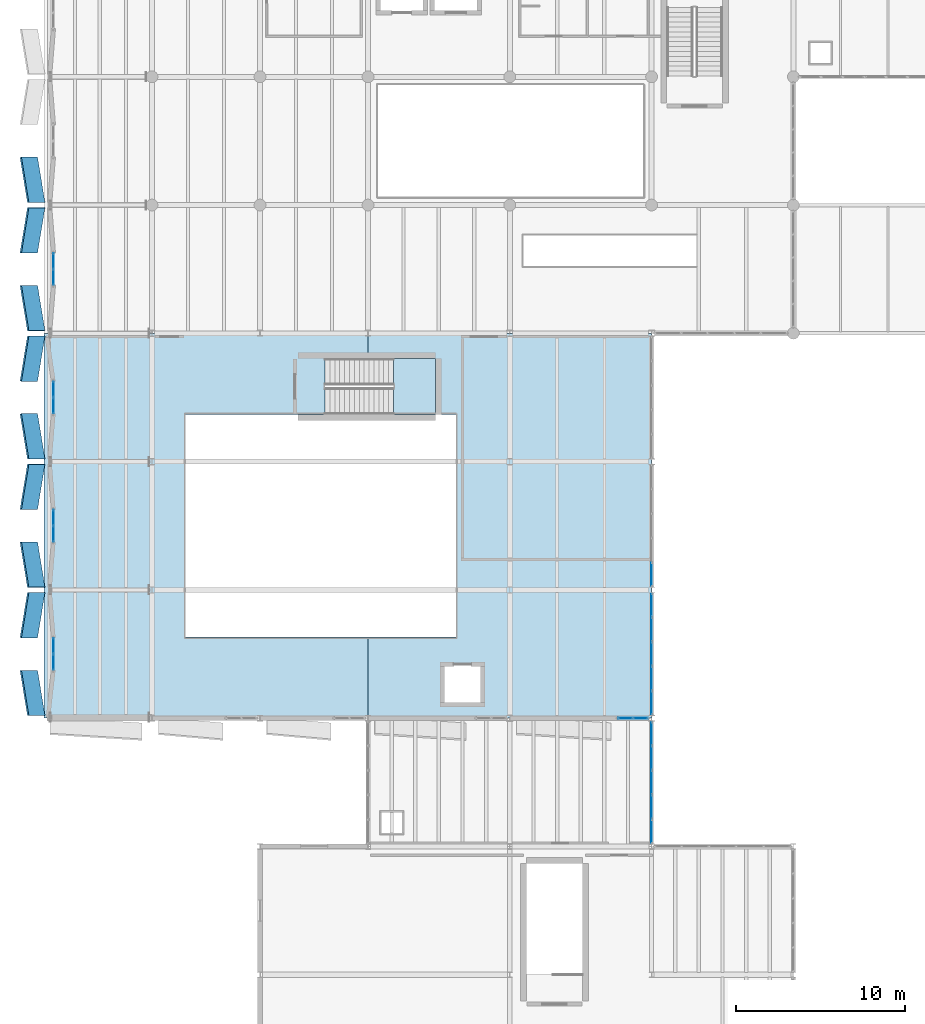
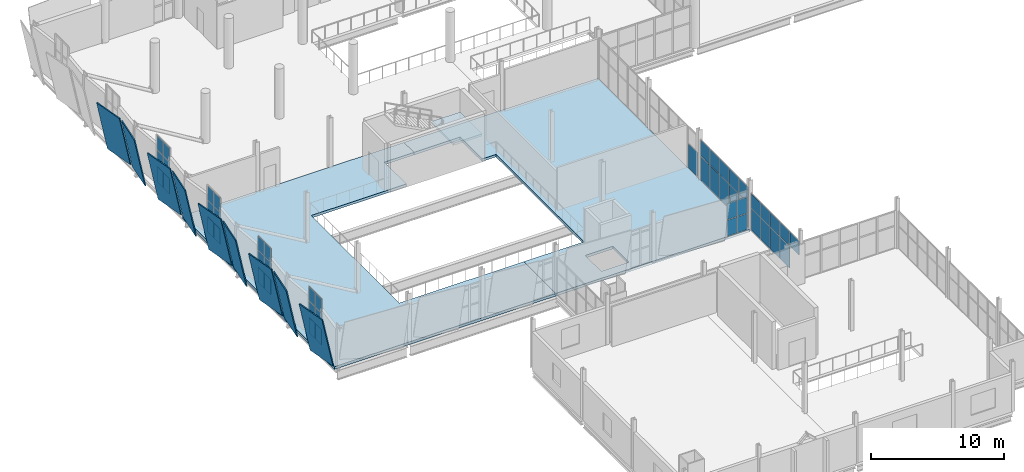
# One storey, part 98 of 136: 57 plates, 3 slabs, 9 elements without a shape of their own.
"""IFC4 building model written with IfcOpenShell, lengths in metres."""

from ifc_helpers import new_model, si_unit, direction, frame, origin, origin_2d, place, context, subcontext, project, spatial, polyline, rectangle, outline, extrude, material, layer, layer_set, type_object, element, aggregate, save


model = new_model("IFC4")

# Units and contexts
model_context = context("Model", 3, precision=1e-05, world=origin(), true_north=direction((0.0, 1.0)))
body_context = subcontext(model_context, "Body", "Model", "MODEL_VIEW")
ifc_project = project(units=[si_unit("LENGTHUNIT", "METRE"), si_unit("AREAUNIT", "SQUARE_METRE"), si_unit("VOLUMEUNIT", "CUBIC_METRE"), si_unit("PLANEANGLEUNIT", "RADIAN"), si_unit("MASSUNIT", "GRAM", prefix="KILO")], contexts=[model_context])

# Site, building, storey
site_placement = place(None, origin())
site = spatial("IfcSite", under=ifc_project, at=site_placement, CompositionType="ELEMENT")
building_placement = place(site_placement, origin())
building = spatial("IfcBuilding", under=site, at=building_placement, Name="Shengluoqiao Park Theatre", CompositionType="ELEMENT")
storey_placement = place(building_placement, frame((0.0, 0.0, 10.0)))
storey = spatial("IfcBuildingStorey", under=building, at=storey_placement, Name="L02", CompositionType="ELEMENT", Elevation=10.0)

# Plates
ifc_material_1 = material(Name="Precast concrete C45", Category="concrete")
ifc_layer_1 = layer(ifc_material_1, 0.090087890625, Name="Precast concrete C45")
ifc_layer_set_1 = layer_set([ifc_layer_1], Name="Precast concrete C45")
plate_type_1 = type_object("IfcPlateType", Name="ENV-CRYS-CP-090", PredefinedType="USERDEFINED", material=ifc_layer_set_1)
plate_1_placement = place(storey_placement, frame((0.06005859375, 30.56005859375, 0.0), z_axis=(0.966469214449, 0.158656966789, 0.201903998007), x_axis=(-0.16199316461, 0.986791880094, 0.0)))
element("IfcPlate", 1, at=plate_1_placement, inside=storey, type_object=plate_type_1, Name="V3 L02 Tilted White Precast Crystal Panel 024", ObjectType="FACADE PANEL", PredefinedType="USERDEFINED", context=body_context, shape_type="SweptSolid", body=[
    extrude(outline(polyline([(0.0, 0.0), (2.7158022828174055, 0.0), (2.8701229196118767, 4.655946331026953), (0.15432063679447125, 4.655946331026953), (0.0, 0.0)])), origin(), (0.0, 0.0, -1.0), 0.090087890625),
])
plate_2_placement = place(storey_placement, frame((-0.3798828125, 35.159912109375, 0.0), z_axis=(0.966471430424, -0.158642878268, 0.201904460944), x_axis=(0.161978795623, 0.98679423882, 0.0)))
element("IfcPlate", 2, at=plate_2_placement, inside=storey, type_object=plate_type_1, Name="V3 L02 Tilted White Precast Crystal Panel 025", ObjectType="FACADE PANEL", PredefinedType="USERDEFINED", context=body_context, shape_type="SweptSolid", body=[
    extrude(outline(polyline([(0.0, 0.0), (2.7160431990917, 0.0), (2.561736250721947, 4.6559467847075755), (-0.15430694836975264, 4.6559467847075755), (0.0, 0.0)])), origin(), (0.0, 0.0, -1.0), 0.090087890625),
])
plate_3_placement = place(storey_placement, frame((0.06005859375, 38.159912109375, 0.0), z_axis=(0.966471430424, 0.158642878268, 0.201904460944), x_axis=(-0.161978795623, 0.98679423882, 0.0)))
element("IfcPlate", 3, at=plate_3_placement, inside=storey, type_object=plate_type_1, Name="V3 L02 Tilted White Precast Crystal Panel 026", ObjectType="FACADE PANEL", PredefinedType="USERDEFINED", context=body_context, shape_type="SweptSolid", body=[
    extrude(outline(polyline([(0.0, 0.0), (2.7160431990917, 0.0), (2.8703501474614526, 4.6559467847075755), (0.15430694836975264, 4.6559467847075755), (0.0, 0.0)])), origin(), (0.0, 0.0, -1.0), 0.090087890625),
])
plate_4_placement = place(storey_placement, frame((-0.3798828125, 42.760009765625, 0.0), z_axis=(0.966469214449, -0.158656966789, 0.201903998007), x_axis=(0.16199316461, 0.986791880094, 0.0)))
element("IfcPlate", 4, at=plate_4_placement, inside=storey, type_object=plate_type_1, Name="V3 L02 Tilted White Precast Crystal Panel 027", ObjectType="FACADE PANEL", PredefinedType="USERDEFINED", context=body_context, shape_type="SweptSolid", body=[
    extrude(outline(polyline([(0.0, 0.0), (2.7158022828174055, 0.0), (2.5614816460229344, 4.655946331026953), (-0.15432063679447125, 4.655946331026953), (0.0, 0.0)])), origin(), (0.0, 0.0, -1.0), 0.090087890625),
])
plate_5_placement = place(storey_placement, frame((0.06005859375, 45.760009765625, 0.0), z_axis=(0.966469214449, 0.158656966789, 0.201903998007), x_axis=(-0.16199316461, 0.986791880094, 0.0)))
element("IfcPlate", 5, at=plate_5_placement, inside=storey, type_object=plate_type_1, Name="V3 L02 Tilted White Precast Crystal Panel 028", ObjectType="FACADE PANEL", PredefinedType="USERDEFINED", context=body_context, shape_type="SweptSolid", body=[
    extrude(outline(polyline([(0.0, 0.0), (2.7158022828174055, 0.0), (2.8701229196118767, 4.655946331026953), (0.15432063679447125, 4.655946331026953), (0.0, 0.0)])), origin(), (0.0, 0.0, -1.0), 0.090087890625),
])
plate_6_placement = place(storey_placement, frame((-0.3798828125, 50.360107421875, 0.0), z_axis=(0.966469214449, -0.158656966789, 0.201903998007), x_axis=(0.16199316461, 0.986791880094, 0.0)))
element("IfcPlate", 6, at=plate_6_placement, inside=storey, type_object=plate_type_1, Name="V3 L02 Tilted White Precast Crystal Panel 029", ObjectType="FACADE PANEL", PredefinedType="USERDEFINED", context=body_context, shape_type="SweptSolid", body=[
    extrude(outline(polyline([(0.0, 0.0), (2.7158022828174055, 0.0), (2.5614816460229344, 4.655946331026953), (-0.15432063679447125, 4.655946331026953), (0.0, 0.0)])), origin(), (0.0, 0.0, -1.0), 0.090087890625),
])
plate_7_placement = place(storey_placement, frame((0.06005859375, 53.360107421875, 0.0), z_axis=(0.966469214449, 0.158656966789, 0.201903998007), x_axis=(-0.16199316461, 0.986791880094, 0.0)))
element("IfcPlate", 7, at=plate_7_placement, inside=storey, type_object=plate_type_1, Name="V5 L02 Tilted White Precast Crystal Panel 030", ObjectType="FACADE PANEL", PredefinedType="USERDEFINED", context=body_context, shape_type="SweptSolid", body=[
    extrude(outline(polyline([(0.0, 0.0), (2.7158022828174055, 0.0), (2.8701229196118767, 4.655946331026953), (0.15432063679447125, 4.655946331026953), (0.0, 0.0)])), origin(), (0.0, 0.0, -1.0), 0.090087890625),
])
plate_8_placement = place(storey_placement, frame((-0.3798828125, 57.9599609375, 0.0), z_axis=(0.966469214449, -0.158656966789, 0.201903998007), x_axis=(0.16199316461, 0.986791880094, 0.0)))
element("IfcPlate", 8, at=plate_8_placement, inside=storey, type_object=plate_type_1, Name="V5 L02 Tilted White Precast Crystal Panel 031", ObjectType="FACADE PANEL", PredefinedType="USERDEFINED", context=body_context, shape_type="SweptSolid", body=[
    extrude(outline(polyline([(0.0, 0.0), (2.7158022828174055, 0.0), (2.5614816460229344, 4.655946331026953), (-0.15432063679447125, 4.655946331026953), (0.0, 0.0)])), origin(), (0.0, 0.0, -1.0), 0.090087890625),
])
plate_9_placement = place(storey_placement, frame((0.06005859375, 60.9599609375, 0.0), z_axis=(0.966469214449, 0.158656966789, 0.201903998007), x_axis=(-0.16199316461, 0.986791880094, 0.0)))
element("IfcPlate", 9, at=plate_9_placement, inside=storey, type_object=plate_type_1, Name="V5 L02 Tilted White Precast Crystal Panel 032", ObjectType="FACADE PANEL", PredefinedType="USERDEFINED", context=body_context, shape_type="SweptSolid", body=[
    extrude(outline(polyline([(0.0, 0.0), (2.7158022828174055, 0.0), (2.8701229196118767, 4.655946331026953), (0.15432063679447125, 4.655946331026953), (0.0, 0.0)])), origin(), (0.0, 0.0, -1.0), 0.090087890625),
])

# Curtain wall, plates
ifc_material_2 = material(Name="Aluminium 6063-T6", Category="aluminium")
curtain_wall_type_1 = type_object("IfcCurtainWallType", Name="ENV-CW-STUDIO", PredefinedType="NOTDEFINED", material=ifc_material_2)
curtain_wall_1_placement = place(storey_placement, origin())
curtain_wall_1 = element("IfcCurtainWall", 10, at=curtain_wall_1_placement, inside=storey, type_object=curtain_wall_type_1, Name="L02 Curtain Wall CWX-L02-0026", PredefinedType="NOTDEFINED")
ifc_material_3 = material(Name="Insulated glass", Category="glass")
ifc_layer_2 = layer(ifc_material_3, 0.0380859375, Name="Insulated glass")
ifc_layer_set_2 = layer_set([ifc_layer_2], Name="Insulated glass")
plate_type_2 = type_object("IfcPlateType", Name="ENV-GLZ-GL-38", PredefinedType="CURTAIN_PANEL", material=ifc_layer_set_2)
plate_10_placement = place(storey_placement, frame((34.44580078125, 30.39990234375, 0.06005859375), z_axis=(0.0, 0.0, 1.0), x_axis=(1.0, 0.0, 0.0)))
plate_10 = element("IfcPlate", 11, at=plate_10_placement, type_object=plate_type_2, Name="CW-02 panel 1.1", PredefinedType="CURTAIN_PANEL", context=body_context, shape_type="SweptSolid", body=[
    extrude(rectangle(XDim=0.83740234375, YDim=0.0380859375, at=origin_2d()), origin(), (0.0, 0.0, 1.0), 1.4599609375),
])
plate_11_placement = place(storey_placement, frame((34.44580078125, 30.39990234375, 1.580078125), z_axis=(0.0, 0.0, 1.0), x_axis=(1.0, 0.0, 0.0)))
plate_11 = element("IfcPlate", 12, at=plate_11_placement, type_object=plate_type_2, Name="CW-02 panel 1.2", PredefinedType="CURTAIN_PANEL", context=body_context, shape_type="SweptSolid", body=[
    extrude(rectangle(XDim=0.83740234375, YDim=0.0380859375, at=origin_2d()), origin(), (0.0, 0.0, 1.0), 1.43994140625),
])
plate_12_placement = place(storey_placement, frame((35.34326171875, 30.39990234375, 0.06005859375), z_axis=(0.0, 0.0, 1.0), x_axis=(1.0, 0.0, 0.0)))
plate_12 = element("IfcPlate", 13, at=plate_12_placement, type_object=plate_type_2, Name="CW-02 panel 2.1", PredefinedType="CURTAIN_PANEL", context=body_context, shape_type="SweptSolid", body=[
    extrude(rectangle(XDim=0.83740234375, YDim=0.0380859375, at=origin_2d()), origin(), (0.0, 0.0, 1.0), 1.4599609375),
])
plate_13_placement = place(storey_placement, frame((35.34326171875, 30.39990234375, 1.580078125), z_axis=(0.0, 0.0, 1.0), x_axis=(1.0, 0.0, 0.0)))
plate_13 = element("IfcPlate", 14, at=plate_13_placement, type_object=plate_type_2, Name="CW-02 panel 2.2", PredefinedType="CURTAIN_PANEL", context=body_context, shape_type="SweptSolid", body=[
    extrude(rectangle(XDim=0.83740234375, YDim=0.0380859375, at=origin_2d()), origin(), (0.0, 0.0, 1.0), 1.43994140625),
])
aggregate(curtain_wall_1, [plate_10, plate_11, plate_12, plate_13])

curtain_wall_type_2 = type_object("IfcCurtainWallType", Name="ENV-CW-COURT", PredefinedType="NOTDEFINED", material=ifc_material_2)
curtain_wall_2_placement = place(storey_placement, origin())
curtain_wall_2 = element("IfcCurtainWall", 15, at=curtain_wall_2_placement, inside=storey, type_object=curtain_wall_type_2, Name="L02 Curtain Wall CWX-L02-0027", PredefinedType="NOTDEFINED")
plate_14_placement = place(storey_placement, frame((36.0, 31.31591796875, 0.06005859375), z_axis=(0.0, 0.0, 1.0), x_axis=(0.0, 1.0, 0.0)))
plate_14 = element("IfcPlate", 16, at=plate_14_placement, type_object=plate_type_2, Name="CW-05 panel 1.1", PredefinedType="CURTAIN_PANEL", context=body_context, shape_type="SweptSolid", body=[
    extrude(rectangle(XDim=1.359619140625, YDim=0.0380859375, at=origin_2d()), origin(), (0.0, 0.0, 1.0), 2.172119140625),
])
plate_15_placement = place(storey_placement, frame((36.0, 31.31591796875, 2.2919921875), z_axis=(0.0, 0.0, 1.0), x_axis=(0.0, 1.0, 0.0)))
plate_15 = element("IfcPlate", 17, at=plate_15_placement, type_object=plate_type_2, Name="CW-05 panel 1.2", PredefinedType="CURTAIN_PANEL", context=body_context, shape_type="SweptSolid", body=[
    extrude(rectangle(XDim=1.359619140625, YDim=0.0380859375, at=origin_2d()), origin(), (0.0, 0.0, 1.0), 1.41796875),
])
plate_16_placement = place(storey_placement, frame((36.0, 32.75048828125, 0.06005859375), z_axis=(0.0, 0.0, 1.0), x_axis=(0.0, 1.0, 0.0)))
plate_16 = element("IfcPlate", 18, at=plate_16_placement, type_object=plate_type_2, Name="CW-05 panel 2.1", PredefinedType="CURTAIN_PANEL", context=body_context, shape_type="SweptSolid", body=[
    extrude(rectangle(XDim=1.3896484375, YDim=0.0380859375, at=origin_2d()), origin(), (0.0, 0.0, 1.0), 2.172119140625),
])
plate_17_placement = place(storey_placement, frame((36.0, 32.75048828125, 2.2919921875), z_axis=(0.0, 0.0, 1.0), x_axis=(0.0, 1.0, 0.0)))
plate_17 = element("IfcPlate", 19, at=plate_17_placement, type_object=plate_type_2, Name="CW-05 panel 2.2", PredefinedType="CURTAIN_PANEL", context=body_context, shape_type="SweptSolid", body=[
    extrude(rectangle(XDim=1.3896484375, YDim=0.0380859375, at=origin_2d()), origin(), (0.0, 0.0, 1.0), 1.41796875),
])
plate_18_placement = place(storey_placement, frame((36.0, 34.199951171875, 0.06005859375), z_axis=(0.0, 0.0, 1.0), x_axis=(0.0, 1.0, 0.0)))
plate_18 = element("IfcPlate", 20, at=plate_18_placement, type_object=plate_type_2, Name="CW-05 panel 3.1", PredefinedType="CURTAIN_PANEL", context=body_context, shape_type="SweptSolid", body=[
    extrude(rectangle(XDim=1.3896484375, YDim=0.0380859375, at=origin_2d()), origin(), (0.0, 0.0, 1.0), 2.172119140625),
])
plate_19_placement = place(storey_placement, frame((36.0, 34.199951171875, 2.2919921875), z_axis=(0.0, 0.0, 1.0), x_axis=(0.0, 1.0, 0.0)))
plate_19 = element("IfcPlate", 21, at=plate_19_placement, type_object=plate_type_2, Name="CW-05 panel 3.2", PredefinedType="CURTAIN_PANEL", context=body_context, shape_type="SweptSolid", body=[
    extrude(rectangle(XDim=1.3896484375, YDim=0.0380859375, at=origin_2d()), origin(), (0.0, 0.0, 1.0), 1.41796875),
])
plate_20_placement = place(storey_placement, frame((36.0, 35.649658203125, 0.06005859375), z_axis=(0.0, 0.0, 1.0), x_axis=(0.0, 1.0, 0.0)))
plate_20 = element("IfcPlate", 22, at=plate_20_placement, type_object=plate_type_2, Name="CW-05 panel 4.1", PredefinedType="CURTAIN_PANEL", context=body_context, shape_type="SweptSolid", body=[
    extrude(rectangle(XDim=1.3896484375, YDim=0.0380859375, at=origin_2d()), origin(), (0.0, 0.0, 1.0), 2.172119140625),
])
plate_21_placement = place(storey_placement, frame((36.0, 35.649658203125, 2.2919921875), z_axis=(0.0, 0.0, 1.0), x_axis=(0.0, 1.0, 0.0)))
plate_21 = element("IfcPlate", 23, at=plate_21_placement, type_object=plate_type_2, Name="CW-05 panel 4.2", PredefinedType="CURTAIN_PANEL", context=body_context, shape_type="SweptSolid", body=[
    extrude(rectangle(XDim=1.3896484375, YDim=0.0380859375, at=origin_2d()), origin(), (0.0, 0.0, 1.0), 1.41796875),
])
plate_22_placement = place(storey_placement, frame((36.0, 37.084228515625, 0.06005859375), z_axis=(0.0, 0.0, 1.0), x_axis=(0.0, 1.0, 0.0)))
plate_22 = element("IfcPlate", 24, at=plate_22_placement, type_object=plate_type_2, Name="CW-05 panel 5.1", PredefinedType="CURTAIN_PANEL", context=body_context, shape_type="SweptSolid", body=[
    extrude(rectangle(XDim=1.359619140625, YDim=0.0380859375, at=origin_2d()), origin(), (0.0, 0.0, 1.0), 2.172119140625),
])
plate_23_placement = place(storey_placement, frame((36.0, 37.084228515625, 2.2919921875), z_axis=(0.0, 0.0, 1.0), x_axis=(0.0, 1.0, 0.0)))
plate_23 = element("IfcPlate", 25, at=plate_23_placement, type_object=plate_type_2, Name="CW-05 panel 5.2", PredefinedType="CURTAIN_PANEL", context=body_context, shape_type="SweptSolid", body=[
    extrude(rectangle(XDim=1.359619140625, YDim=0.0380859375, at=origin_2d()), origin(), (0.0, 0.0, 1.0), 1.41796875),
])
aggregate(curtain_wall_2, [plate_14, plate_15, plate_16, plate_17, plate_18, plate_19, plate_20, plate_21, plate_22, plate_23])

# Curtain wall, plate
curtain_wall_3_placement = place(storey_placement, origin())
curtain_wall_3 = element("IfcCurtainWall", 26, at=curtain_wall_3_placement, inside=storey, type_object=curtain_wall_type_2, Name="L02 Curtain Wall CWX-L02-0028", PredefinedType="NOTDEFINED")
plate_24_placement = place(storey_placement, frame((36.0, 38.915771484375, 0.06005859375), z_axis=(0.0, 0.0, 1.0), x_axis=(0.0, 1.0, 0.0)))
plate_24 = element("IfcPlate", 27, at=plate_24_placement, type_object=plate_type_2, Name="CW-05 panel 1.1", PredefinedType="CURTAIN_PANEL", context=body_context, shape_type="SweptSolid", body=[
    extrude(rectangle(XDim=1.359619140625, YDim=0.0380859375, at=origin_2d()), origin(), (0.0, 0.0, 1.0), 2.219970703125),
])
aggregate(curtain_wall_3, [plate_24])

# Curtain wall, plates
curtain_wall_4_placement = place(storey_placement, origin())
curtain_wall_4 = element("IfcCurtainWall", 28, at=curtain_wall_4_placement, inside=storey, type_object=curtain_wall_type_2, Name="L02 Curtain Wall CWX-L02-0166", PredefinedType="NOTDEFINED")
plate_25_placement = place(storey_placement, frame((36.0, 23.696044921875, 2.10498046875), z_axis=(0.0, 0.0, 1.0), x_axis=(0.0, 1.0, 0.0)))
plate_25 = element("IfcPlate", 29, at=plate_25_placement, type_object=plate_type_2, Name="CW-05 panel 1.2", PredefinedType="CURTAIN_PANEL", context=body_context, shape_type="SweptSolid", body=[
    extrude(rectangle(XDim=1.364013671875, YDim=0.0380859375, at=origin_2d()), origin(), (0.0, 0.0, 1.0), 1.29296875),
])
plate_26_placement = place(storey_placement, frame((36.0, 25.135009765625, 0.06005859375), z_axis=(0.0, 0.0, 1.0), x_axis=(0.0, 1.0, 0.0)))
plate_26 = element("IfcPlate", 30, at=plate_26_placement, type_object=plate_type_2, Name="CW-05 panel 2.1", PredefinedType="CURTAIN_PANEL", context=body_context, shape_type="SweptSolid", body=[
    extrude(rectangle(XDim=1.39404296875, YDim=0.0380859375, at=origin_2d()), origin(), (0.0, 0.0, 1.0), 1.985107421875),
])
plate_27_placement = place(storey_placement, frame((36.0, 25.135009765625, 2.10498046875), z_axis=(0.0, 0.0, 1.0), x_axis=(0.0, 1.0, 0.0)))
plate_27 = element("IfcPlate", 31, at=plate_27_placement, type_object=plate_type_2, Name="CW-05 panel 2.2", PredefinedType="CURTAIN_PANEL", context=body_context, shape_type="SweptSolid", body=[
    extrude(rectangle(XDim=1.39404296875, YDim=0.0380859375, at=origin_2d()), origin(), (0.0, 0.0, 1.0), 1.29296875),
])
plate_28_placement = place(storey_placement, frame((36.0, 26.589111328125, 0.06005859375), z_axis=(0.0, 0.0, 1.0), x_axis=(0.0, 1.0, 0.0)))
plate_28 = element("IfcPlate", 32, at=plate_28_placement, type_object=plate_type_2, Name="CW-05 panel 3.1", PredefinedType="CURTAIN_PANEL", context=body_context, shape_type="SweptSolid", body=[
    extrude(rectangle(XDim=1.39404296875, YDim=0.0380859375, at=origin_2d()), origin(), (0.0, 0.0, 1.0), 1.985107421875),
])
plate_29_placement = place(storey_placement, frame((36.0, 26.589111328125, 2.10498046875), z_axis=(0.0, 0.0, 1.0), x_axis=(0.0, 1.0, 0.0)))
plate_29 = element("IfcPlate", 33, at=plate_29_placement, type_object=plate_type_2, Name="CW-05 panel 3.2", PredefinedType="CURTAIN_PANEL", context=body_context, shape_type="SweptSolid", body=[
    extrude(rectangle(XDim=1.39404296875, YDim=0.0380859375, at=origin_2d()), origin(), (0.0, 0.0, 1.0), 1.29296875),
])
plate_30_placement = place(storey_placement, frame((36.0, 28.04296875, 0.06005859375), z_axis=(0.0, 0.0, 1.0), x_axis=(0.0, 1.0, 0.0)))
plate_30 = element("IfcPlate", 34, at=plate_30_placement, type_object=plate_type_2, Name="CW-05 panel 4.1", PredefinedType="CURTAIN_PANEL", context=body_context, shape_type="SweptSolid", body=[
    extrude(rectangle(XDim=1.39404296875, YDim=0.0380859375, at=origin_2d()), origin(), (0.0, 0.0, 1.0), 1.985107421875),
])
plate_31_placement = place(storey_placement, frame((36.0, 28.04296875, 2.10498046875), z_axis=(0.0, 0.0, 1.0), x_axis=(0.0, 1.0, 0.0)))
plate_31 = element("IfcPlate", 35, at=plate_31_placement, type_object=plate_type_2, Name="CW-05 panel 4.2", PredefinedType="CURTAIN_PANEL", context=body_context, shape_type="SweptSolid", body=[
    extrude(rectangle(XDim=1.39404296875, YDim=0.0380859375, at=origin_2d()), origin(), (0.0, 0.0, 1.0), 1.29296875),
])
plate_32_placement = place(storey_placement, frame((36.0, 29.48193359375, 0.06005859375), z_axis=(0.0, 0.0, 1.0), x_axis=(0.0, 1.0, 0.0)))
plate_32 = element("IfcPlate", 36, at=plate_32_placement, type_object=plate_type_2, Name="CW-05 panel 5.1", PredefinedType="CURTAIN_PANEL", context=body_context, shape_type="SweptSolid", body=[
    extrude(rectangle(XDim=1.364013671875, YDim=0.0380859375, at=origin_2d()), origin(), (0.0, 0.0, 1.0), 1.985107421875),
])
plate_33_placement = place(storey_placement, frame((36.0, 29.48193359375, 2.10498046875), z_axis=(0.0, 0.0, 1.0), x_axis=(0.0, 1.0, 0.0)))
plate_33 = element("IfcPlate", 37, at=plate_33_placement, type_object=plate_type_2, Name="CW-05 panel 5.2", PredefinedType="CURTAIN_PANEL", context=body_context, shape_type="SweptSolid", body=[
    extrude(rectangle(XDim=1.364013671875, YDim=0.0380859375, at=origin_2d()), origin(), (0.0, 0.0, 1.0), 1.29296875),
])
aggregate(curtain_wall_4, [plate_25, plate_26, plate_27, plate_28, plate_29, plate_30, plate_31, plate_32, plate_33])

curtain_wall_type_3 = type_object("IfcCurtainWallType", Name="ENV-CW-FOYER", PredefinedType="NOTDEFINED", material=ifc_material_2)
curtain_wall_5_placement = place(storey_placement, origin())
curtain_wall_5 = element("IfcCurtainWall", 38, at=curtain_wall_5_placement, inside=storey, type_object=curtain_wall_type_3, Name="L02 Curtain Wall CW-L02-SLIT-0241", PredefinedType="NOTDEFINED")
plate_34_placement = place(storey_placement, frame((0.56005859375, 56.516357421875, 0.06494140625), z_axis=(0.0, 0.0, 1.0), x_axis=(0.0, 1.0, 0.0)))
plate_34 = element("IfcPlate", 39, at=plate_34_placement, type_object=plate_type_2, Name="CW-01 panel 1.1", PredefinedType="CURTAIN_PANEL", context=body_context, shape_type="SweptSolid", body=[
    extrude(rectangle(XDim=0.902587890625, YDim=0.0380859375, at=origin_2d()), origin(), (0.0, 0.0, 1.0), 1.402587890625),
])
plate_35_placement = place(storey_placement, frame((0.56005859375, 56.516357421875, 1.532470703125), z_axis=(0.0, 0.0, 1.0), x_axis=(0.0, 1.0, 0.0)))
plate_35 = element("IfcPlate", 40, at=plate_35_placement, type_object=plate_type_2, Name="CW-01 panel 1.2", PredefinedType="CURTAIN_PANEL", context=body_context, shape_type="SweptSolid", body=[
    extrude(rectangle(XDim=0.902587890625, YDim=0.0380859375, at=origin_2d()), origin(), (0.0, 0.0, 1.0), 1.43505859375),
])
plate_36_placement = place(storey_placement, frame((0.56005859375, 56.516357421875, 3.03271484375), z_axis=(0.0, 0.0, 1.0), x_axis=(0.0, 1.0, 0.0)))
plate_36 = element("IfcPlate", 41, at=plate_36_placement, type_object=plate_type_2, Name="CW-01 panel 1.3", PredefinedType="CURTAIN_PANEL", context=body_context, shape_type="SweptSolid", body=[
    extrude(rectangle(XDim=0.902587890625, YDim=0.0380859375, at=origin_2d()), origin(), (0.0, 0.0, 1.0), 1.262451171875),
])
plate_37_placement = place(storey_placement, frame((0.56005859375, 57.483642578125, 0.06494140625), z_axis=(0.0, 0.0, 1.0), x_axis=(0.0, 1.0, 0.0)))
plate_37 = element("IfcPlate", 42, at=plate_37_placement, type_object=plate_type_2, Name="CW-01 panel 2.1", PredefinedType="CURTAIN_PANEL", context=body_context, shape_type="SweptSolid", body=[
    extrude(rectangle(XDim=0.902587890625, YDim=0.0380859375, at=origin_2d()), origin(), (0.0, 0.0, 1.0), 1.402587890625),
])
plate_38_placement = place(storey_placement, frame((0.56005859375, 57.483642578125, 1.532470703125), z_axis=(0.0, 0.0, 1.0), x_axis=(0.0, 1.0, 0.0)))
plate_38 = element("IfcPlate", 43, at=plate_38_placement, type_object=plate_type_2, Name="CW-01 panel 2.2", PredefinedType="CURTAIN_PANEL", context=body_context, shape_type="SweptSolid", body=[
    extrude(rectangle(XDim=0.902587890625, YDim=0.0380859375, at=origin_2d()), origin(), (0.0, 0.0, 1.0), 1.43505859375),
])
plate_39_placement = place(storey_placement, frame((0.56005859375, 57.483642578125, 3.03271484375), z_axis=(0.0, 0.0, 1.0), x_axis=(0.0, 1.0, 0.0)))
plate_39 = element("IfcPlate", 44, at=plate_39_placement, type_object=plate_type_2, Name="CW-01 panel 2.3", PredefinedType="CURTAIN_PANEL", context=body_context, shape_type="SweptSolid", body=[
    extrude(rectangle(XDim=0.902587890625, YDim=0.0380859375, at=origin_2d()), origin(), (0.0, 0.0, 1.0), 1.262451171875),
])
aggregate(curtain_wall_5, [plate_34, plate_35, plate_36, plate_37, plate_38, plate_39])

curtain_wall_6_placement = place(storey_placement, origin())
curtain_wall_6 = element("IfcCurtainWall", 45, at=curtain_wall_6_placement, inside=storey, type_object=curtain_wall_type_1, Name="L02 Curtain Wall CW-L02-SLIT-0238", PredefinedType="NOTDEFINED")
ifc_layer_3 = layer(ifc_material_3, 0.048095703125, Name="Insulated glass")
ifc_layer_set_3 = layer_set([ifc_layer_3], Name="Insulated glass")
plate_type_3 = type_object("IfcPlateType", Name="ENV-GLZ-GL-48", PredefinedType="CURTAIN_PANEL", material=ifc_layer_set_3)
plate_40_placement = place(storey_placement, frame((0.56005859375, 33.71630859375, 0.06494140625), z_axis=(0.0, 0.0, 1.0), x_axis=(0.0, 1.0, 0.0)))
plate_40 = element("IfcPlate", 46, at=plate_40_placement, type_object=plate_type_3, Name="CW-02 panel 1.1", PredefinedType="CURTAIN_PANEL", context=body_context, shape_type="SweptSolid", body=[
    extrude(rectangle(XDim=0.902587890625, YDim=0.048095703125, at=origin_2d()), origin(), (0.0, 0.0, 1.0), 1.402587890625),
])
plate_41_placement = place(storey_placement, frame((0.56005859375, 33.71630859375, 1.532470703125), z_axis=(0.0, 0.0, 1.0), x_axis=(0.0, 1.0, 0.0)))
plate_41 = element("IfcPlate", 47, at=plate_41_placement, type_object=plate_type_3, Name="CW-02 panel 1.2", PredefinedType="CURTAIN_PANEL", context=body_context, shape_type="SweptSolid", body=[
    extrude(rectangle(XDim=0.902587890625, YDim=0.048095703125, at=origin_2d()), origin(), (0.0, 0.0, 1.0), 1.43505859375),
])
plate_42_placement = place(storey_placement, frame((0.56005859375, 33.71630859375, 3.03271484375), z_axis=(0.0, 0.0, 1.0), x_axis=(0.0, 1.0, 0.0)))
plate_42 = element("IfcPlate", 48, at=plate_42_placement, type_object=plate_type_3, Name="CW-02 panel 1.3", PredefinedType="CURTAIN_PANEL", context=body_context, shape_type="SweptSolid", body=[
    extrude(rectangle(XDim=0.902587890625, YDim=0.048095703125, at=origin_2d()), origin(), (0.0, 0.0, 1.0), 1.262451171875),
])
plate_43_placement = place(storey_placement, frame((0.56005859375, 34.683837890625, 0.06494140625), z_axis=(0.0, 0.0, 1.0), x_axis=(0.0, 1.0, 0.0)))
plate_43 = element("IfcPlate", 49, at=plate_43_placement, type_object=plate_type_3, Name="CW-02 panel 2.1", PredefinedType="CURTAIN_PANEL", context=body_context, shape_type="SweptSolid", body=[
    extrude(rectangle(XDim=0.902587890625, YDim=0.048095703125, at=origin_2d()), origin(), (0.0, 0.0, 1.0), 1.402587890625),
])
plate_44_placement = place(storey_placement, frame((0.56005859375, 34.683837890625, 1.532470703125), z_axis=(0.0, 0.0, 1.0), x_axis=(0.0, 1.0, 0.0)))
plate_44 = element("IfcPlate", 50, at=plate_44_placement, type_object=plate_type_3, Name="CW-02 panel 2.2", PredefinedType="CURTAIN_PANEL", context=body_context, shape_type="SweptSolid", body=[
    extrude(rectangle(XDim=0.902587890625, YDim=0.048095703125, at=origin_2d()), origin(), (0.0, 0.0, 1.0), 1.43505859375),
])
plate_45_placement = place(storey_placement, frame((0.56005859375, 34.683837890625, 3.03271484375), z_axis=(0.0, 0.0, 1.0), x_axis=(0.0, 1.0, 0.0)))
plate_45 = element("IfcPlate", 51, at=plate_45_placement, type_object=plate_type_3, Name="CW-02 panel 2.3", PredefinedType="CURTAIN_PANEL", context=body_context, shape_type="SweptSolid", body=[
    extrude(rectangle(XDim=0.902587890625, YDim=0.048095703125, at=origin_2d()), origin(), (0.0, 0.0, 1.0), 1.262451171875),
])
aggregate(curtain_wall_6, [plate_40, plate_41, plate_42, plate_43, plate_44, plate_45])

curtain_wall_7_placement = place(storey_placement, origin())
curtain_wall_7 = element("IfcCurtainWall", 52, at=curtain_wall_7_placement, inside=storey, type_object=curtain_wall_type_1, Name="L02 Curtain Wall CW-L02-SLIT-0239", PredefinedType="NOTDEFINED")
plate_46_placement = place(storey_placement, frame((0.56005859375, 41.316162109375, 0.06494140625), z_axis=(0.0, 0.0, 1.0), x_axis=(0.0, 1.0, 0.0)))
plate_46 = element("IfcPlate", 53, at=plate_46_placement, type_object=plate_type_3, Name="CW-02 panel 1.1", PredefinedType="CURTAIN_PANEL", context=body_context, shape_type="SweptSolid", body=[
    extrude(rectangle(XDim=0.902587890625, YDim=0.048095703125, at=origin_2d()), origin(), (0.0, 0.0, 1.0), 1.402587890625),
])
plate_47_placement = place(storey_placement, frame((0.56005859375, 41.316162109375, 1.532470703125), z_axis=(0.0, 0.0, 1.0), x_axis=(0.0, 1.0, 0.0)))
plate_47 = element("IfcPlate", 54, at=plate_47_placement, type_object=plate_type_3, Name="CW-02 panel 1.2", PredefinedType="CURTAIN_PANEL", context=body_context, shape_type="SweptSolid", body=[
    extrude(rectangle(XDim=0.902587890625, YDim=0.048095703125, at=origin_2d()), origin(), (0.0, 0.0, 1.0), 1.43505859375),
])
plate_48_placement = place(storey_placement, frame((0.56005859375, 41.316162109375, 3.03271484375), z_axis=(0.0, 0.0, 1.0), x_axis=(0.0, 1.0, 0.0)))
plate_48 = element("IfcPlate", 55, at=plate_48_placement, type_object=plate_type_3, Name="CW-02 panel 1.3", PredefinedType="CURTAIN_PANEL", context=body_context, shape_type="SweptSolid", body=[
    extrude(rectangle(XDim=0.902587890625, YDim=0.048095703125, at=origin_2d()), origin(), (0.0, 0.0, 1.0), 1.262451171875),
])
plate_49_placement = place(storey_placement, frame((0.56005859375, 42.28369140625, 0.06494140625), z_axis=(0.0, 0.0, 1.0), x_axis=(0.0, 1.0, 0.0)))
plate_49 = element("IfcPlate", 56, at=plate_49_placement, type_object=plate_type_3, Name="CW-02 panel 2.1", PredefinedType="CURTAIN_PANEL", context=body_context, shape_type="SweptSolid", body=[
    extrude(rectangle(XDim=0.902587890625, YDim=0.048095703125, at=origin_2d()), origin(), (0.0, 0.0, 1.0), 1.402587890625),
])
plate_50_placement = place(storey_placement, frame((0.56005859375, 42.28369140625, 1.532470703125), z_axis=(0.0, 0.0, 1.0), x_axis=(0.0, 1.0, 0.0)))
plate_50 = element("IfcPlate", 57, at=plate_50_placement, type_object=plate_type_3, Name="CW-02 panel 2.2", PredefinedType="CURTAIN_PANEL", context=body_context, shape_type="SweptSolid", body=[
    extrude(rectangle(XDim=0.902587890625, YDim=0.048095703125, at=origin_2d()), origin(), (0.0, 0.0, 1.0), 1.43505859375),
])
plate_51_placement = place(storey_placement, frame((0.56005859375, 42.28369140625, 3.03271484375), z_axis=(0.0, 0.0, 1.0), x_axis=(0.0, 1.0, 0.0)))
plate_51 = element("IfcPlate", 58, at=plate_51_placement, type_object=plate_type_3, Name="CW-02 panel 2.3", PredefinedType="CURTAIN_PANEL", context=body_context, shape_type="SweptSolid", body=[
    extrude(rectangle(XDim=0.902587890625, YDim=0.048095703125, at=origin_2d()), origin(), (0.0, 0.0, 1.0), 1.262451171875),
])
aggregate(curtain_wall_7, [plate_46, plate_47, plate_48, plate_49, plate_50, plate_51])

curtain_wall_8_placement = place(storey_placement, origin())
curtain_wall_8 = element("IfcCurtainWall", 59, at=curtain_wall_8_placement, inside=storey, type_object=curtain_wall_type_1, Name="L02 Curtain Wall CW-L02-SLIT-0240", PredefinedType="NOTDEFINED")
plate_52_placement = place(storey_placement, frame((0.56005859375, 48.916259765625, 0.06494140625), z_axis=(0.0, 0.0, 1.0), x_axis=(0.0, 1.0, 0.0)))
plate_52 = element("IfcPlate", 60, at=plate_52_placement, type_object=plate_type_3, Name="CW-02 panel 1.1", PredefinedType="CURTAIN_PANEL", context=body_context, shape_type="SweptSolid", body=[
    extrude(rectangle(XDim=0.902587890625, YDim=0.048095703125, at=origin_2d()), origin(), (0.0, 0.0, 1.0), 1.402587890625),
])
plate_53_placement = place(storey_placement, frame((0.56005859375, 48.916259765625, 1.532470703125), z_axis=(0.0, 0.0, 1.0), x_axis=(0.0, 1.0, 0.0)))
plate_53 = element("IfcPlate", 61, at=plate_53_placement, type_object=plate_type_3, Name="CW-02 panel 1.2", PredefinedType="CURTAIN_PANEL", context=body_context, shape_type="SweptSolid", body=[
    extrude(rectangle(XDim=0.902587890625, YDim=0.048095703125, at=origin_2d()), origin(), (0.0, 0.0, 1.0), 1.43505859375),
])
plate_54_placement = place(storey_placement, frame((0.56005859375, 48.916259765625, 3.03271484375), z_axis=(0.0, 0.0, 1.0), x_axis=(0.0, 1.0, 0.0)))
plate_54 = element("IfcPlate", 62, at=plate_54_placement, type_object=plate_type_3, Name="CW-02 panel 1.3", PredefinedType="CURTAIN_PANEL", context=body_context, shape_type="SweptSolid", body=[
    extrude(rectangle(XDim=0.902587890625, YDim=0.048095703125, at=origin_2d()), origin(), (0.0, 0.0, 1.0), 1.262451171875),
])
plate_55_placement = place(storey_placement, frame((0.56005859375, 49.8837890625, 0.06494140625), z_axis=(0.0, 0.0, 1.0), x_axis=(0.0, 1.0, 0.0)))
plate_55 = element("IfcPlate", 63, at=plate_55_placement, type_object=plate_type_3, Name="CW-02 panel 2.1", PredefinedType="CURTAIN_PANEL", context=body_context, shape_type="SweptSolid", body=[
    extrude(rectangle(XDim=0.902587890625, YDim=0.048095703125, at=origin_2d()), origin(), (0.0, 0.0, 1.0), 1.402587890625),
])
plate_56_placement = place(storey_placement, frame((0.56005859375, 49.8837890625, 1.532470703125), z_axis=(0.0, 0.0, 1.0), x_axis=(0.0, 1.0, 0.0)))
plate_56 = element("IfcPlate", 64, at=plate_56_placement, type_object=plate_type_3, Name="CW-02 panel 2.2", PredefinedType="CURTAIN_PANEL", context=body_context, shape_type="SweptSolid", body=[
    extrude(rectangle(XDim=0.902587890625, YDim=0.048095703125, at=origin_2d()), origin(), (0.0, 0.0, 1.0), 1.43505859375),
])
plate_57_placement = place(storey_placement, frame((0.56005859375, 49.8837890625, 3.03271484375), z_axis=(0.0, 0.0, 1.0), x_axis=(0.0, 1.0, 0.0)))
plate_57 = element("IfcPlate", 65, at=plate_57_placement, type_object=plate_type_3, Name="CW-02 panel 2.3", PredefinedType="CURTAIN_PANEL", context=body_context, shape_type="SweptSolid", body=[
    extrude(rectangle(XDim=0.902587890625, YDim=0.048095703125, at=origin_2d()), origin(), (0.0, 0.0, 1.0), 1.262451171875),
])
aggregate(curtain_wall_8, [plate_52, plate_53, plate_54, plate_55, plate_56, plate_57])

# Stair, slab
ifc_material_4 = material(Name="Concrete C40", Category="concrete")
stair_type = type_object("IfcStairType", Name="INT-STR-CORE", PredefinedType="HALF_TURN_STAIR", material=ifc_material_4)
stair_placement = place(storey_placement, origin())
stair = element("IfcStair", 66, at=stair_placement, inside=storey, type_object=stair_type, Name="L02 Studio Crystal North Escape Stair 13", PredefinedType="HALF_TURN_STAIR")
ifc_layer_4 = layer(ifc_material_4, 0.169921875, Name="Concrete C40")
ifc_layer_set_4 = layer_set([ifc_layer_4], Name="Concrete C40")
slab_type_1 = type_object("IfcSlabType", Name="INT-LND-SL-170", PredefinedType="LANDING", material=ifc_layer_set_4)
slab_1_placement = place(storey_placement, frame((0.0, 0.0, 2.10009765625)))
slab_1 = element("IfcSlab", 67, at=slab_1_placement, type_object=slab_type_1, Name="ST-13 landing 1", PredefinedType="LANDING", context=body_context, shape_type="SweptSolid", body=[
    extrude(outline(polyline([(20.7099609375, 48.39990234375), (23.199951171875, 48.39990234375), (23.199951171875, 51.699951171875), (20.7099609375, 51.699951171875), (20.7099609375, 48.39990234375)])), origin(), (0.0, 0.0, 1.0), 0.199951171875),
])
aggregate(stair, [slab_1])

# Slabs
ifc_material_5 = material(Name="Concrete C35", Category="concrete")
ifc_layer_5 = layer(ifc_material_5, 0.239990234375, Name="Concrete C35")
ifc_layer_set_5 = layer_set([ifc_layer_5], Name="Concrete C35")
slab_type_2 = type_object("IfcSlabType", Name="STR-SLB-FL240", PredefinedType="FLOOR", material=ifc_layer_set_5)
slab_2_placement = place(storey_placement, frame((0.0, 0.0, -0.239990234375)))
element("IfcSlab", 68, at=slab_2_placement, inside=storey, type_object=slab_type_2, Name="Floor Slab L02-V3-CW", PredefinedType="FLOOR", context=body_context, shape_type="SweptSolid", body=[
    extrude(outline(polyline([(19.199951171875, 30.39990234375), (0.0, 30.39990234375), (0.0, 53.199951171875), (19.199951171875, 53.199951171875), (19.199951171875, 51.699951171875), (16.654052734375, 51.699951171875), (16.654052734375, 48.39990234375), (8.39990234375, 48.39990234375), (8.39990234375, 35.199951171875), (19.199951171875, 35.199951171875), (19.199951171875, 30.39990234375)])), origin(), (0.0, 0.0, 1.0), 0.239990234375),
])
slab_3_placement = place(storey_placement, frame((0.0, 0.0, -0.239990234375)))
element("IfcSlab", 69, at=slab_3_placement, inside=storey, type_object=slab_type_2, Name="Floor Slab L02-V3-CE", PredefinedType="FLOOR", context=body_context, shape_type="SweptSolid", body=[
    extrude(outline(polyline([(19.199951171875, 53.199951171875), (36.0, 53.199951171875), (36.0, 30.39990234375), (19.199951171875, 30.39990234375), (19.199951171875, 35.199951171875), (24.39990234375, 35.199951171875), (24.39990234375, 48.39990234375), (23.199951171875, 48.39990234375), (23.199951171875, 51.699951171875), (19.199951171875, 51.699951171875), (19.199951171875, 53.199951171875)]), holes=[polyline([(26.0, 31.199951171875), (26.0, 33.60009765625), (23.60009765625, 33.60009765625), (23.60009765625, 31.199951171875), (26.0, 31.199951171875)])]), origin(), (0.0, 0.0, 1.0), 0.239990234375),
])

save(model, "model.ifc")
